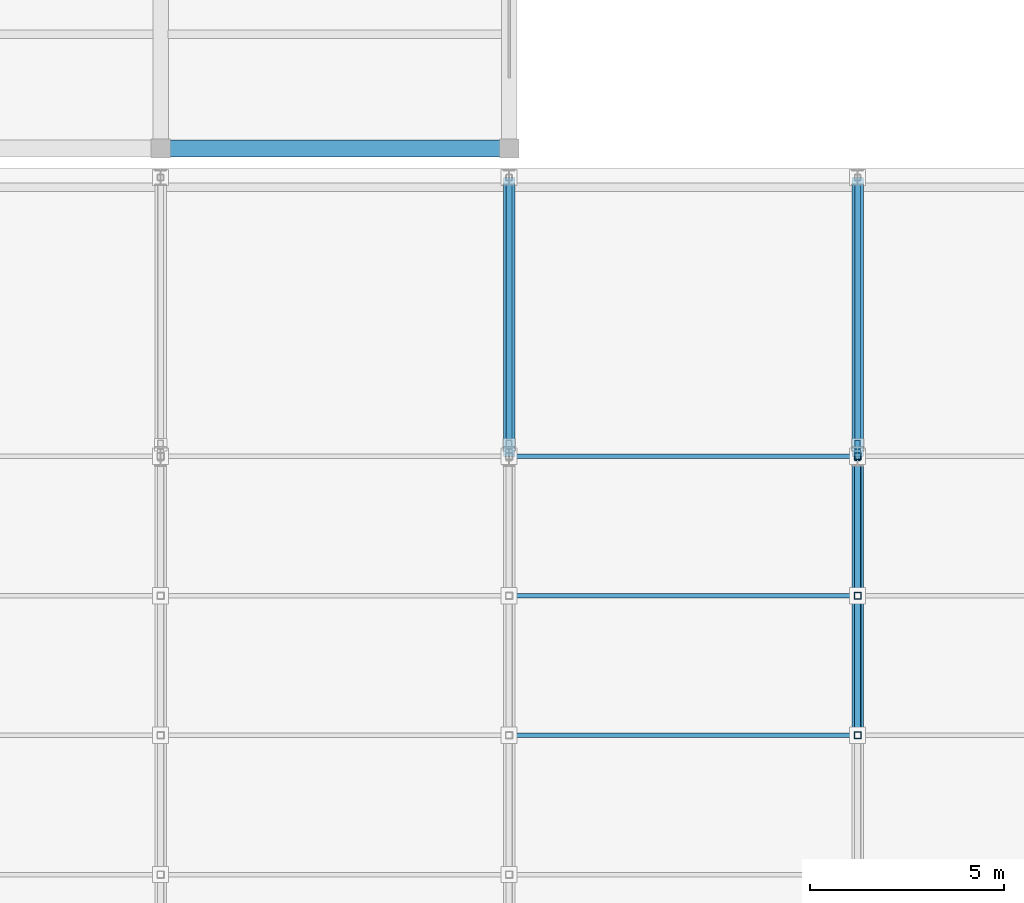
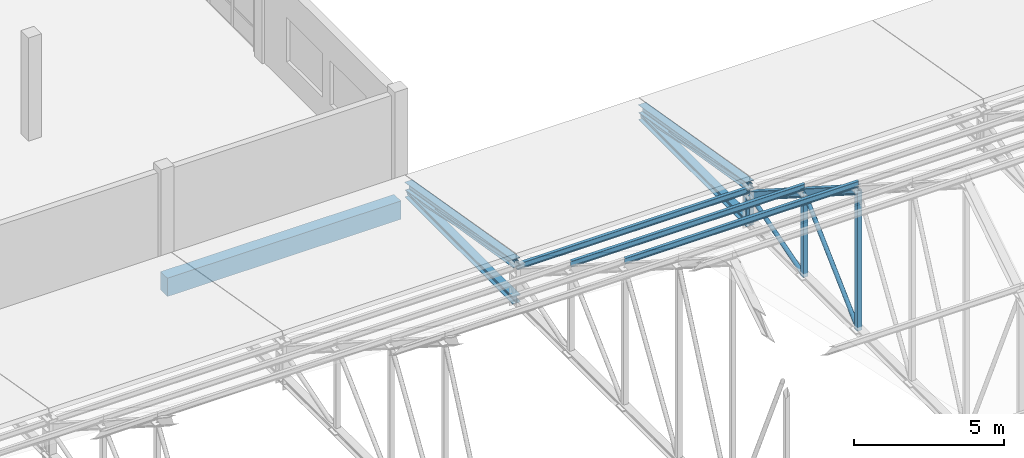
# One storey, part 114 of 182: 17 members, 1 beam.
"""IFC4 building model written with IfcOpenShell, lengths in metres."""

from ifc_helpers import new_model, si_unit, direction, frame, origin, origin_2d, place, context, subcontext, project, spatial, rectangle, hollow_rectangle, hollow_circle, i_section, extrude, material, material_profile, profile_set, type_object, element, save


model = new_model("IFC4")

# Units and contexts
model_context = context("Model", 3, precision=1e-05, world=origin(), true_north=direction((0.0, 1.0)))
body_context = subcontext(model_context, "Body", "Model", "MODEL_VIEW")
ifc_project = project(units=[si_unit("LENGTHUNIT", "METRE"), si_unit("AREAUNIT", "SQUARE_METRE"), si_unit("VOLUMEUNIT", "CUBIC_METRE"), si_unit("PLANEANGLEUNIT", "RADIAN"), si_unit("MASSUNIT", "GRAM", prefix="KILO")], contexts=[model_context])

# Site, building, storey
site_placement = place(None, origin())
site = spatial("IfcSite", under=ifc_project, at=site_placement, CompositionType="ELEMENT")
building_placement = place(site_placement, origin())
building = spatial("IfcBuilding", under=site, at=building_placement, Name="Chiffa Square Polytechnic", CompositionType="ELEMENT")
storey_placement = place(building_placement, frame((0.0, 0.0, 9.60009765625)))
storey = spatial("IfcBuildingStorey", under=building, at=storey_placement, Name="L02", CompositionType="ELEMENT", Elevation=9.60009765625)

# Beam
ifc_material_1 = material(Name="Concrete C35/45", Category="concrete")
ifc_material_profile_1 = material_profile(ifc_material_1, rectangle(XDim=0.449951171875, YDim=0.75, at=origin_2d()), Name="RC 450x750")
ifc_profile_set_1 = profile_set([ifc_material_profile_1], Name="Concrete C35/45")
beam_type = type_object("IfcBeamType", Name="BM-RC-450X750", PredefinedType="BEAM", material=ifc_profile_set_1)
beam_placement = place(storey_placement, frame((139.199951171875, 94.949951171875, -0.695068359375), z_axis=(1.0, 0.0, 0.0), x_axis=(0.0, 1.0, 0.0)))
element("IfcBeam", 1, at=beam_placement, inside=storey, type_object=beam_type, Name="Primary floor girder BM-V5-L02-X-1392-0950", PredefinedType="BEAM", context=body_context, shape_type="SweptSolid", body=[
    extrude(rectangle(XDim=0.449951171875, YDim=0.75, at=origin_2d()), origin(), (0.0, 0.0, 1.0), 9.0),
])

# Members
ifc_material_2 = material(Name="Steel S355", Category="steel")
ifc_material_profile_2 = material_profile(ifc_material_2, i_section(OverallWidth=0.300048828125, OverallDepth=0.31005859375, WebThickness=0.009033203125, FlangeThickness=0.015380859375, FilletRadius=0.027099609375, at=origin_2d()), Name="HEA 320")
ifc_profile_set_2 = profile_set([ifc_material_profile_2], Name="Steel S355")
member_type_1 = type_object("IfcMemberType", Name="MEM-CHORD-HEA320", PredefinedType="CHORD", material=ifc_profile_set_2)
member_1_placement = place(storey_placement, frame((148.199951171875, 87.0, 1.849853515625), z_axis=(0.0, 0.986394827799, -0.164393563414), x_axis=(-1.0, 0.0, 0.0)))
element("IfcMember", 2, at=member_1_placement, inside=storey, type_object=member_type_1, Name="Workshop north shed top chord TCT-V2-SH-05", PredefinedType="CHORD", context=body_context, shape_type="SweptSolid", body=[
    extrude(i_section(OverallWidth=0.300048828125, OverallDepth=0.31005859375, WebThickness=0.009033203125, FlangeThickness=0.015380859375, FilletRadius=0.027099609375, at=origin_2d()), origin(), (0.0, 0.0, 1.0), 7.29931640625),
])
member_2_placement = place(storey_placement, frame((157.199951171875, 79.800048828125, 6.0498046875), z_axis=(0.0, 0.84270706373, -0.538372366248), x_axis=(-1.0, 0.0, 0.0)))
element("IfcMember", 3, at=member_2_placement, inside=storey, type_object=member_type_1, Name="Workshop roof truss top chord TCT-V2-06-07", PredefinedType="CHORD", context=body_context, shape_type="SweptSolid", body=[
    extrude(i_section(OverallWidth=0.300048828125, OverallDepth=0.31005859375, WebThickness=0.009033203125, FlangeThickness=0.015380859375, FilletRadius=0.027099609375, at=origin_2d()), origin(), (0.0, 0.0, 1.0), 4.271728515625),
])
member_3_placement = place(storey_placement, frame((157.199951171875, 83.39990234375, 3.75), z_axis=(0.0, 0.84269770024, -0.538387022512), x_axis=(-1.0, 0.0, 0.0)))
element("IfcMember", 4, at=member_3_placement, inside=storey, type_object=member_type_1, Name="Workshop roof truss top chord TCT-V2-06-08", PredefinedType="CHORD", context=body_context, shape_type="SweptSolid", body=[
    extrude(i_section(OverallWidth=0.300048828125, OverallDepth=0.31005859375, WebThickness=0.009033203125, FlangeThickness=0.015380859375, FilletRadius=0.027099609375, at=origin_2d()), origin(), (0.0, 0.0, 1.0), 4.272216796875),
])
member_4_placement = place(storey_placement, frame((157.199951171875, 87.0, 1.849853515625), z_axis=(0.0, 0.986394827799, -0.164393563414), x_axis=(-1.0, 0.0, 0.0)))
element("IfcMember", 5, at=member_4_placement, inside=storey, type_object=member_type_1, Name="Workshop north shed top chord TCT-V2-SH-06", PredefinedType="CHORD", context=body_context, shape_type="SweptSolid", body=[
    extrude(i_section(OverallWidth=0.300048828125, OverallDepth=0.31005859375, WebThickness=0.009033203125, FlangeThickness=0.015380859375, FilletRadius=0.027099609375, at=origin_2d()), origin(), (0.0, 0.0, 1.0), 7.29931640625),
])
ifc_material_profile_3 = material_profile(ifc_material_2, i_section(OverallWidth=0.300048828125, OverallDepth=0.300048828125, WebThickness=0.010986328125, FlangeThickness=0.01904296875, FilletRadius=0.027099609375, at=origin_2d()), Name="HEB 300")
ifc_profile_set_3 = profile_set([ifc_material_profile_3], Name="Steel S355")
member_type_2 = type_object("IfcMemberType", Name="MEM-CHORD-HEB300", PredefinedType="CHORD", material=ifc_profile_set_3)
for number, where, z_axis, x_axis, name in (
    (6, (148.199951171875, 87.0, 0.349853515625), (0.0, 1.0, 0.0), (-1.0, 0.0, 0.0), "Workshop north shed bottom chord TCB-V2-SH-05"),
    (7, (157.199951171875, 87.0, 0.349853515625), (0.0, 1.0, 0.0), (-1.0, 0.0, 0.0), "Workshop north shed bottom chord TCB-V2-SH-06"),
):
    element("IfcMember", number, at=place(storey_placement, frame(where, z_axis=z_axis, x_axis=x_axis)), inside=storey, type_object=member_type_2, Name=name, PredefinedType="CHORD", context=body_context, shape_type="SweptSolid", body=[
        extrude(i_section(OverallWidth=0.300048828125, OverallDepth=0.300048828125, WebThickness=0.010986328125, FlangeThickness=0.01904296875, FilletRadius=0.027099609375, at=origin_2d()), origin(), (0.0, 0.0, 1.0), 7.199951171875),
    ])
ifc_material_profile_4 = material_profile(ifc_material_2, i_section(OverallWidth=0.1201171875, OverallDepth=0.239990234375, WebThickness=0.006103515625, FlangeThickness=0.009765625, FilletRadius=0.014892578125, at=origin_2d()), Name="IPE 240")
ifc_profile_set_4 = profile_set([ifc_material_profile_4], Name="Steel S355")
member_type_3 = type_object("IfcMemberType", Name="MEM-PUR-IPE240", PredefinedType="PURLIN", material=ifc_profile_set_4)
for number, where, z_axis, x_axis, name in (
    (8, (148.199951171875, 79.800048828125, 6.2998046875), (1.0, 0.0, 0.0), (0.0, 1.0, 0.0), "Workshop steel roof purlin PU-V2-05-07"),
    (9, (148.199951171875, 83.39990234375, 4.0), (1.0, 0.0, 0.0), (0.0, 1.0, 0.0), "Workshop steel roof purlin PU-V2-05-08"),
    (10, (148.199951171875, 87.0, 1.699951171875), (1.0, 0.0, 0.0), (0.0, 1.0, 0.0), "Workshop steel roof purlin PU-V2-05-09"),
):
    element("IfcMember", number, at=place(storey_placement, frame(where, z_axis=z_axis, x_axis=x_axis)), inside=storey, type_object=member_type_3, Name=name, PredefinedType="PURLIN", context=body_context, shape_type="SweptSolid", body=[
        extrude(i_section(OverallWidth=0.1201171875, OverallDepth=0.239990234375, WebThickness=0.006103515625, FlangeThickness=0.009765625, FilletRadius=0.014892578125, at=origin_2d()), origin(), (0.0, 0.0, 1.0), 9.0),
    ])
ifc_material_profile_5 = material_profile(ifc_material_2, hollow_rectangle(XDim=0.14990234375, YDim=0.25, WallThickness=0.010009765625, at=origin_2d()), Name="RHS 250x150x10")
ifc_profile_set_5 = profile_set([ifc_material_profile_5], Name="Steel S355")
member_type_4 = type_object("IfcMemberType", Name="MEM-STRUT-RHS250", PredefinedType="STRUT", material=ifc_profile_set_5)
member_5_placement = place(storey_placement, frame((157.199951171875, 87.0, 0.349853515625), z_axis=(0.0, 0.263135522356, 0.964758880174), x_axis=(-1.0, 0.0, 0.0)))
element("IfcMember", 11, at=member_5_placement, inside=storey, type_object=member_type_4, Name="Eave outrigger strut OS-V2-N-06", PredefinedType="STRUT", context=body_context, shape_type="SweptSolid", body=[
    extrude(hollow_rectangle(XDim=0.14990234375, YDim=0.25, WallThickness=0.010009765625, at=origin_2d()), origin(), (0.0, 0.0, 1.0), 1.140380859375),
])
ifc_material_profile_6 = material_profile(ifc_material_2, hollow_circle(Radius=0.084228515625, WallThickness=0.010009765625, at=origin_2d()), Name="CHS 168.3x10")
ifc_profile_set_6 = profile_set([ifc_material_profile_6], Name="Steel S355")
member_type_5 = type_object("IfcMemberType", Name="MEM-WEB-CHS168", PredefinedType="MEMBER", material=ifc_profile_set_6)
member_6_placement = place(storey_placement, frame((157.199951171875, 79.800048828125, 0.349853515625), z_axis=(0.0, 0.726984438285, 0.686653935029), x_axis=(-1.0, 0.0, 0.0)))
element("IfcMember", 12, at=member_6_placement, inside=storey, type_object=member_type_5, Name="Workshop roof truss diagonal TWD-V2-06-07", PredefinedType="MEMBER", context=body_context, shape_type="SweptSolid", body=[
    extrude(hollow_circle(Radius=0.084228515625, WallThickness=0.010009765625, at=origin_2d()), origin(), (0.0, 0.0, 1.0), 4.95166015625),
])
member_7_placement = place(storey_placement, frame((157.199951171875, 83.39990234375, 0.349853515625), z_axis=(0.0, 0.956346536322, 0.292235012388), x_axis=(-1.0, 0.0, 0.0)))
element("IfcMember", 13, at=member_7_placement, inside=storey, type_object=member_type_5, Name="Workshop roof truss diagonal TWD-V2-06-08", PredefinedType="MEMBER", context=body_context, shape_type="SweptSolid", body=[
    extrude(hollow_circle(Radius=0.084228515625, WallThickness=0.010009765625, at=origin_2d()), origin(), (0.0, 0.0, 1.0), 3.764404296875),
])
ifc_material_profile_7 = material_profile(ifc_material_2, hollow_rectangle(XDim=0.159912109375, YDim=0.159912109375, WallThickness=0.008056640625, InnerFilletRadius=0.008056640625, OuterFilletRadius=0.01611328125, at=origin_2d()), Name="RHS 160x160x8")
ifc_profile_set_7 = profile_set([ifc_material_profile_7], Name="Steel S355")
member_type_6 = type_object("IfcMemberType", Name="MEM-WEB-RHS160", PredefinedType="MEMBER", material=ifc_profile_set_7)
for number, where, z_axis, x_axis, name in (
    (14, (148.199951171875, 87.0, 1.849853515625), (0.0, 0.978980143565, -0.203955579738), (-1.0, 0.0, 0.0), "Workshop north shed diagonal TWD-V2-SH-05"),
    (15, (157.199951171875, 87.0, 1.849853515625), (0.0, 0.978980143565, -0.203955579738), (-1.0, 0.0, 0.0), "Workshop north shed diagonal TWD-V2-SH-06"),
):
    element("IfcMember", number, at=place(storey_placement, frame(where, z_axis=z_axis, x_axis=x_axis)), inside=storey, type_object=member_type_6, Name=name, PredefinedType="MEMBER", context=body_context, shape_type="SweptSolid", body=[
        extrude(hollow_rectangle(XDim=0.159912109375, YDim=0.159912109375, WallThickness=0.008056640625, InnerFilletRadius=0.008056640625, OuterFilletRadius=0.01611328125, at=origin_2d()), origin(), (0.0, 0.0, 1.0), 7.3544921875),
    ])
ifc_material_profile_8 = material_profile(ifc_material_2, hollow_rectangle(XDim=0.179931640625, YDim=0.179931640625, WallThickness=0.010009765625, at=origin_2d()), Name="RHS 180x180x10")
ifc_profile_set_8 = profile_set([ifc_material_profile_8], Name="Steel S355")
member_type_7 = type_object("IfcMemberType", Name="MEM-WEB-RHS180", PredefinedType="MEMBER", material=ifc_profile_set_8)
member_8_placement = place(storey_placement, frame((157.199951171875, 79.800048828125, 0.349853515625), z_axis=(0.0, 0.0, 1.0), x_axis=(1.0, 0.0, 0.0)))
element("IfcMember", 16, at=member_8_placement, inside=storey, type_object=member_type_7, Name="Workshop roof truss vertical TWV-V2-06-07", PredefinedType="MEMBER", context=body_context, shape_type="SweptSolid", body=[
    extrude(hollow_rectangle(XDim=0.179931640625, YDim=0.179931640625, WallThickness=0.010009765625, at=origin_2d()), origin(), (0.0, 0.0, 1.0), 5.699951171875),
])
member_9_placement = place(storey_placement, frame((157.199951171875, 83.39990234375, 0.349853515625), z_axis=(0.0, 0.0, 1.0), x_axis=(1.0, 0.0, 0.0)))
element("IfcMember", 17, at=member_9_placement, inside=storey, type_object=member_type_7, Name="Workshop roof truss vertical TWV-V2-06-08", PredefinedType="MEMBER", context=body_context, shape_type="SweptSolid", body=[
    extrude(hollow_rectangle(XDim=0.179931640625, YDim=0.179931640625, WallThickness=0.010009765625, at=origin_2d()), origin(), (0.0, 0.0, 1.0), 3.400146484375),
])
member_10_placement = place(storey_placement, frame((157.199951171875, 87.0, 0.349853515625), z_axis=(0.0, 0.0, 1.0), x_axis=(1.0, 0.0, 0.0)))
element("IfcMember", 18, at=member_10_placement, inside=storey, type_object=member_type_7, Name="Workshop roof truss vertical TWV-V2-06-09", PredefinedType="MEMBER", context=body_context, shape_type="SweptSolid", body=[
    extrude(hollow_rectangle(XDim=0.179931640625, YDim=0.179931640625, WallThickness=0.010009765625, at=origin_2d()), origin(), (0.0, 0.0, 1.0), 1.10009765625),
])

save(model, "model.ifc")
